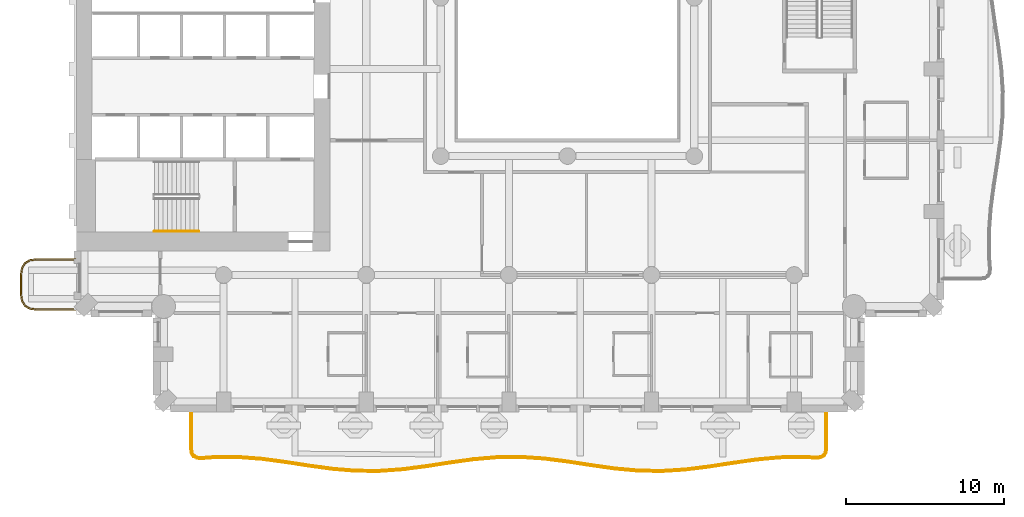
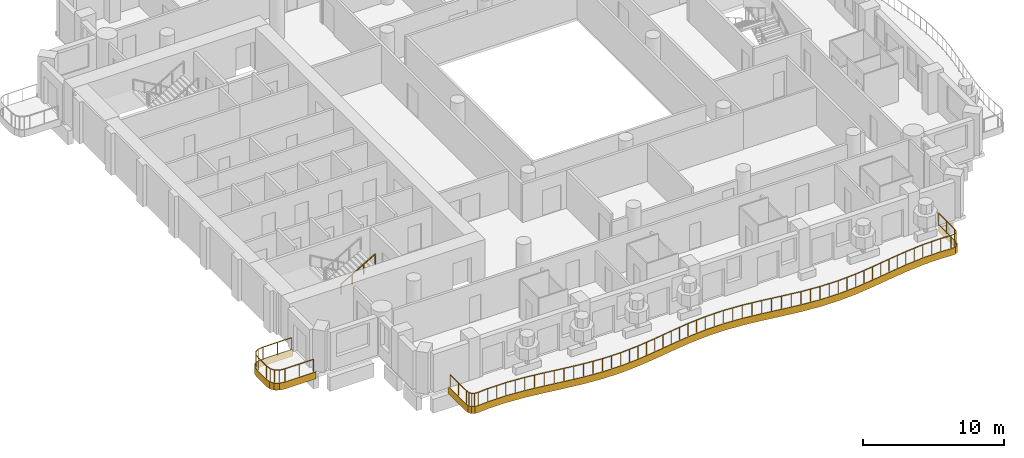
# One storey, part 12 of 19: 3 railings, 2 coverings.
"""IFC4 building model written with IfcOpenShell, lengths in metres."""

from ifc_helpers import new_model, si_unit, direction, frame, origin, origin_2d, place, context, subcontext, project, spatial, polyline, rectangle, outline, extrude, material, layer, layer_set, type_object, element, save


model = new_model("IFC4")

# Units and contexts
model_context = context("Model", 3, precision=1e-05, world=origin(), true_north=direction((0.0, 1.0)))
body_context = subcontext(model_context, "Body", "Model", "MODEL_VIEW")
ifc_project = project(units=[si_unit("LENGTHUNIT", "METRE"), si_unit("AREAUNIT", "SQUARE_METRE"), si_unit("VOLUMEUNIT", "CUBIC_METRE"), si_unit("PLANEANGLEUNIT", "RADIAN"), si_unit("MASSUNIT", "GRAM", prefix="KILO")], contexts=[model_context])

# Site, building, storey
site_placement = place(None, origin())
site = spatial("IfcSite", under=ifc_project, at=site_placement, CompositionType="ELEMENT")
building_placement = place(site_placement, origin())
building = spatial("IfcBuilding", under=site, at=building_placement, Name="Cypress Arch Tower", CompositionType="ELEMENT")
storey_placement = place(building_placement, frame((0.0, 0.0, 105.89990234375)))
storey = spatial("IfcBuildingStorey", under=building, at=storey_placement, Name="L21", CompositionType="ELEMENT", Elevation=105.89990234375)

# Coverings
ifc_material_1 = material(Name="White powder-coated aluminium fascia", Category="aluminium")
ifc_layer = layer(ifc_material_1, 0.050048828125)
ifc_layer_set = layer_set([ifc_layer], Name="Balcony fascia BF50")
covering_type = type_object("IfcCoveringType", Name="Balcony fascia BF50", PredefinedType="CLADDING", material=ifc_layer_set)
covering_1_placement = place(storey_placement, frame((0.0, 0.0, -0.599853515625)))
element("IfcCovering", 1, at=covering_1_placement, inside=storey, type_object=covering_type, Name="Balcony fascia L21-A00W1", PredefinedType="CLADDING", context=body_context, shape_type="SweptSolid", body=[
    extrude(outline(polyline([(-32.503662109375, -19.75), (-32.95458984375, -19.685546875), (-33.286376953125, -19.486328125), (-33.485595703125, -19.154541015625), (-33.550048828125, -18.70361328125), (-33.550048828125, -17.496337890625), (-33.485595703125, -17.04541015625), (-33.286376953125, -16.713623046875), (-32.95458984375, -16.514404296875), (-32.503662109375, -16.449951171875), (-30.0009765625, -16.449951171875), (-30.0009765625, -16.5), (-32.5, -16.5), (-32.9375, -16.5625), (-33.25, -16.75), (-33.4375, -17.0625), (-33.5, -17.5), (-33.5, -18.699951171875), (-33.4375, -19.137451171875), (-33.25, -19.449951171875), (-32.9375, -19.637451171875), (-32.5, -19.699951171875), (-30.0009765625, -19.699951171875), (-30.0009765625, -19.75), (-32.503662109375, -19.75)])), origin(), (0.0, 0.0, 1.0), 0.599853515625),
])
covering_2_placement = place(storey_placement, frame((0.0, 0.0, -0.599853515625)))
element("IfcCovering", 2, at=covering_2_placement, inside=storey, type_object=covering_type, Name="Balcony fascia L21-A03", PredefinedType="CLADDING", context=body_context, shape_type="SweptSolid", body=[
    extrude(outline(polyline([(17.39990234375, -28.4248046875), (17.356201171875, -28.72900390625), (17.218505859375, -28.951171875), (16.98876953125, -29.07568359375), (16.682373046875, -29.1015625), (15.86376953125, -29.0537109375), (14.382568359375, -29.083984375), (12.900390625, -29.223388671875), (11.41650390625, -29.435302734375), (9.930908203125, -29.66455078125), (8.443603515625, -29.8505859375), (6.954833984375, -29.9443359375), (5.4658203125, -29.921142578125), (3.9775390625, -29.786865234375), (2.49072265625, -29.577392578125), (1.005859375, -29.347412109375), (-0.47705078125, -29.157958984375), (-1.958740234375, -29.05810546875), (-3.440185546875, -29.07421875), (-4.922119140625, -29.201904296875), (-6.40576171875, -29.407958984375), (-7.89111328125, -29.63818359375), (-9.37841796875, -29.83251953125), (-10.866943359375, -29.939208984375), (-12.35595703125, -29.93017578125), (-13.84423828125, -29.807861328125), (-15.331298828125, -29.604736328125), (-16.81640625, -29.3740234375), (-18.299560546875, -29.1767578125), (-19.781494140625, -29.064208984375), (-21.262939453125, -29.06591796875), (-22.081298828125, -29.1298828125), (-22.387939453125, -29.10986328125), (-22.6181640625, -28.9892578125), (-22.756103515625, -28.76904296875), (-22.800048828125, -28.465087890625), (-22.800048828125, -26.0009765625), (-22.75, -26.0009765625), (-22.75, -28.46142578125), (-22.708251953125, -28.75146484375), (-22.5830078125, -28.951171875), (-22.3740234375, -29.060546875), (-22.081787109375, -29.07958984375), (-21.264892578125, -29.015869140625), (-19.779541015625, -29.01416015625), (-18.29443359375, -29.126953125), (-16.809326171875, -29.324462890625), (-15.323974609375, -29.55517578125), (-13.8388671875, -29.758056640625), (-12.353759765625, -29.880126953125), (-10.868408203125, -29.88916015625), (-9.38330078125, -29.78271484375), (-7.898193359375, -29.5888671875), (-6.412841796875, -29.3583984375), (-4.927734375, -29.152099609375), (-3.442626953125, -29.024169921875), (-1.95751953125, -29.008056640625), (-0.47216796875, -29.108154296875), (1.012939453125, -29.298095703125), (2.498046875, -29.52783203125), (3.9833984375, -29.7373046875), (5.468505859375, -29.87109375), (6.95361328125, -29.894287109375), (8.43896484375, -29.80078125), (9.924072265625, -29.614990234375), (11.4091796875, -29.385986328125), (12.89453125, -29.173583984375), (14.379638671875, -29.033935546875), (15.86474609375, -29.003662109375), (16.681640625, -29.051513671875), (16.97412109375, -29.02685546875), (17.182861328125, -28.91357421875), (17.308349609375, -28.711669921875), (17.35009765625, -28.421142578125), (17.35009765625, -26.0009765625), (17.39990234375, -26.0009765625), (17.39990234375, -28.4248046875)])), origin(), (0.0, 0.0, 1.0), 0.599853515625),
])

# Railings
ifc_material_2 = material(Name="Powder-coated steel posts and rods, 100 mm clear between rods", Category="steel")
railing_type_1 = type_object("IfcRailingType", Name="Balcony guard GR1100", PredefinedType="GUARDRAIL", material=ifc_material_2)
railing_1_placement = place(storey_placement, frame((-30.14990234375, -19.64990234375, 0.0)))
element("IfcRailing", 3, at=railing_1_placement, inside=storey, type_object=railing_type_1, Name="Balcony guard L21-A00W1", PredefinedType="GUARDRAIL", context=body_context, shape_type="SweptSolid", body=[
    extrude(rectangle(XDim=0.050048828125, YDim=0.050048828125, at=origin_2d()), frame((0.0, 0.0, 1.0751953125), z_axis=(-1.0, 0.0, 0.0), x_axis=(0.0, -1.0, 0.0)), (0.0, 0.0, 1.0), 2.346435546875),
    extrude(rectangle(XDim=0.050048828125, YDim=0.050048828125, at=origin_2d()), frame((-2.346435546875, 0.0, 1.0751953125), z_axis=(-0.989960888959, 0.141341566184, 0.0), x_axis=(-0.141341566184, -0.989960888959, 0.0)), (0.0, 0.0, 1.0), 0.428466796875),
    extrude(rectangle(XDim=0.050048828125, YDim=0.050048828125, at=origin_2d()), frame((-2.7705078125, 0.060546875, 1.0751953125), z_axis=(-0.857681904839, 0.514180659021, 0.0), x_axis=(-0.514180659021, -0.857681904839, 0.0)), (0.0, 0.0, 1.0), 0.341796875),
    extrude(rectangle(XDim=0.050048828125, YDim=0.050048828125, at=origin_2d()), frame((-3.063720703125, 0.236328125, 1.0751953125), z_axis=(-0.514180659021, 0.857681904839, 0.0), x_axis=(-0.857681904839, -0.514180659021, 0.0)), (0.0, 0.0, 1.0), 0.341796875),
    extrude(rectangle(XDim=0.050048828125, YDim=0.050048828125, at=origin_2d()), frame((-3.239501953125, 0.529541015625, 1.0751953125), z_axis=(-0.141421356237, 0.989949493661, 0.0), x_axis=(-0.989949493661, -0.141421356237, 0.0)), (0.0, 0.0, 1.0), 0.42822265625),
    extrude(rectangle(XDim=0.050048828125, YDim=0.050048828125, at=origin_2d()), frame((-3.300048828125, 0.953369140625, 1.0751953125), z_axis=(0.0, 1.0, 0.0), x_axis=(-1.0, 0.0, 0.0)), (0.0, 0.0, 1.0), 1.19287109375),
    extrude(rectangle(XDim=0.050048828125, YDim=0.050048828125, at=origin_2d()), frame((-3.300048828125, 2.146240234375, 1.0751953125), z_axis=(0.141341566184, 0.989960888959, 0.0), x_axis=(-0.989960888959, 0.141341566184, 0.0)), (0.0, 0.0, 1.0), 0.428466796875),
    extrude(rectangle(XDim=0.050048828125, YDim=0.050048828125, at=origin_2d()), frame((-3.239501953125, 2.5703125, 1.0751953125), z_axis=(0.514180659021, 0.857681904839, 0.0), x_axis=(-0.857681904839, 0.514180659021, 0.0)), (0.0, 0.0, 1.0), 0.341796875),
    extrude(rectangle(XDim=0.050048828125, YDim=0.050048828125, at=origin_2d()), frame((-3.063720703125, 2.863525390625, 1.0751953125), z_axis=(0.857681904839, 0.514180659021, 0.0), x_axis=(-0.514180659021, 0.857681904839, 0.0)), (0.0, 0.0, 1.0), 0.341796875),
    extrude(rectangle(XDim=0.050048828125, YDim=0.050048828125, at=origin_2d()), frame((-2.7705078125, 3.039306640625, 1.0751953125), z_axis=(0.989960888959, 0.141341566184, 0.0), x_axis=(-0.141341566184, 0.989960888959, 0.0)), (0.0, 0.0, 1.0), 0.428466796875),
    extrude(rectangle(XDim=0.050048828125, YDim=0.050048828125, at=origin_2d()), frame((-2.346435546875, 3.099853515625, 1.0751953125), z_axis=(1.0, 0.0, 0.0), x_axis=(0.0, 1.0, 0.0)), (0.0, 0.0, 1.0), 2.346435546875),
    extrude(rectangle(XDim=0.0400390625, YDim=0.0400390625, at=origin_2d()), origin(), (0.0, 0.0, 1.0), 1.050048828125),
    extrude(rectangle(XDim=0.0400390625, YDim=0.0400390625, at=origin_2d()), frame((-1.17333984375, 0.0, 0.0)), (0.0, 0.0, 1.0), 1.050048828125),
    extrude(rectangle(XDim=0.0400390625, YDim=0.0400390625, at=origin_2d()), frame((-2.346435546875, 0.0, 0.0)), (0.0, 0.0, 1.0), 1.050048828125),
    extrude(rectangle(XDim=0.0400390625, YDim=0.0400390625, at=origin_2d()), frame((-2.7705078125, 0.060546875, 0.0)), (0.0, 0.0, 1.0), 1.050048828125),
    extrude(rectangle(XDim=0.0400390625, YDim=0.0400390625, at=origin_2d()), frame((-3.063720703125, 0.236328125, 0.0)), (0.0, 0.0, 1.0), 1.050048828125),
    extrude(rectangle(XDim=0.0400390625, YDim=0.0400390625, at=origin_2d()), frame((-3.239501953125, 0.529541015625, 0.0)), (0.0, 0.0, 1.0), 1.050048828125),
    extrude(rectangle(XDim=0.0400390625, YDim=0.0400390625, at=origin_2d()), frame((-3.300048828125, 0.953369140625, 0.0)), (0.0, 0.0, 1.0), 1.050048828125),
    extrude(rectangle(XDim=0.0400390625, YDim=0.0400390625, at=origin_2d()), frame((-3.300048828125, 2.146240234375, 0.0)), (0.0, 0.0, 1.0), 1.050048828125),
    extrude(rectangle(XDim=0.0400390625, YDim=0.0400390625, at=origin_2d()), frame((-3.239501953125, 2.5703125, 0.0)), (0.0, 0.0, 1.0), 1.050048828125),
    extrude(rectangle(XDim=0.0400390625, YDim=0.0400390625, at=origin_2d()), frame((-3.063720703125, 2.863525390625, 0.0)), (0.0, 0.0, 1.0), 1.050048828125),
    extrude(rectangle(XDim=0.0400390625, YDim=0.0400390625, at=origin_2d()), frame((-2.7705078125, 3.039306640625, 0.0)), (0.0, 0.0, 1.0), 1.050048828125),
    extrude(rectangle(XDim=0.0400390625, YDim=0.0400390625, at=origin_2d()), frame((-2.346435546875, 3.099853515625, 0.0)), (0.0, 0.0, 1.0), 1.050048828125),
    extrude(rectangle(XDim=0.0400390625, YDim=0.0400390625, at=origin_2d()), frame((-1.17333984375, 3.099853515625, 0.0)), (0.0, 0.0, 1.0), 1.050048828125),
    extrude(rectangle(XDim=0.0400390625, YDim=0.0400390625, at=origin_2d()), frame((0.0, 3.099853515625, 0.0)), (0.0, 0.0, 1.0), 1.050048828125),
])
railing_2_placement = place(storey_placement, frame((17.300048828125, -26.14990234375, 0.0)))
element("IfcRailing", 4, at=railing_2_placement, inside=storey, type_object=railing_type_1, Name="Balcony guard L21-A03", PredefinedType="GUARDRAIL", context=body_context, shape_type="SweptSolid", body=[
    extrude(rectangle(XDim=0.050048828125, YDim=0.050048828125, at=origin_2d()), frame((0.0, 0.0, 1.0751953125), z_axis=(0.0, -1.0, 0.0), x_axis=(1.0, 0.0, 0.0)), (0.0, 0.0, 1.0), 2.267578125),
    extrude(rectangle(XDim=0.050048828125, YDim=0.050048828125, at=origin_2d()), frame((0.0, -2.267578125, 1.0751953125), z_axis=(-0.142399739356, -0.989809231232, 0.0), x_axis=(0.989809231232, -0.142399739356, 0.0)), (0.0, 0.0, 1.0), 0.279541015625),
    extrude(rectangle(XDim=0.050048828125, YDim=0.050048828125, at=origin_2d()), frame((-0.039794921875, -2.544189453125, 1.0751953125), z_axis=(-0.527533393135, -0.849534295439, 0.0), x_axis=(0.849534295439, -0.527533393135, 0.0)), (0.0, 0.0, 1.0), 0.2138671875),
    extrude(rectangle(XDim=0.050048828125, YDim=0.050048828125, at=origin_2d()), frame((-0.152587890625, -2.725830078125, 1.0751953125), z_axis=(-0.878853431666, -0.477091862904, 0.0), x_axis=(0.477091862904, -0.878853431666, 0.0)), (0.0, 0.0, 1.0), 0.2138671875),
    extrude(rectangle(XDim=0.050048828125, YDim=0.050048828125, at=origin_2d()), frame((-0.340576171875, -2.827880859375, 1.0751953125), z_axis=(-0.996405852593, -0.084707596583, 0.0), x_axis=(0.084707596583, -0.996405852593, 0.0)), (0.0, 0.0, 1.0), 0.279541015625),
    extrude(rectangle(XDim=0.050048828125, YDim=0.050048828125, at=origin_2d()), frame((-0.619140625, -2.8515625, 1.0751953125), z_axis=(-0.998281582304, 0.058599338165, 0.0), x_axis=(-0.058599338165, -0.998281582304, 0.0)), (0.0, 0.0, 1.0), 0.816650390625),
    extrude(rectangle(XDim=0.050048828125, YDim=0.050048828125, at=origin_2d()), frame((-1.434326171875, -2.8037109375, 1.0751953125), z_axis=(-0.999790040287, -0.020490859983, 0.0), x_axis=(0.020490859983, -0.999790040287, 0.0)), (0.0, 0.0, 1.0), 1.4892578125),
    extrude(rectangle(XDim=0.050048828125, YDim=0.050048828125, at=origin_2d()), frame((-2.92333984375, -2.834228515625, 1.0751953125), z_axis=(-0.995609998671, -0.09359877428, 0.0), x_axis=(0.09359877428, -0.995609998671, 0.0)), (0.0, 0.0, 1.0), 1.49462890625),
    extrude(rectangle(XDim=0.050048828125, YDim=0.050048828125, at=origin_2d()), frame((-4.411376953125, -2.97412109375, 1.0751953125), z_axis=(-0.989949493661, -0.141421356237, 0.0), x_axis=(0.141421356237, -0.989949493661, 0.0)), (0.0, 0.0, 1.0), 1.501953125),
    extrude(rectangle(XDim=0.050048828125, YDim=0.050048828125, at=origin_2d()), frame((-5.898193359375, -3.1865234375, 1.0751953125), z_axis=(-0.988311495715, -0.15244798273, 0.0), x_axis=(0.15244798273, -0.988311495715, 0.0)), (0.0, 0.0, 1.0), 1.502197265625),
    extrude(rectangle(XDim=0.050048828125, YDim=0.050048828125, at=origin_2d()), frame((-7.3828125, -3.41552734375, 1.0751953125), z_axis=(-0.992262789781, -0.12415537047, 0.0), x_axis=(0.12415537047, -0.992262789781, 0.0)), (0.0, 0.0, 1.0), 1.494384765625),
    extrude(rectangle(XDim=0.050048828125, YDim=0.050048828125, at=origin_2d()), frame((-8.86572265625, -3.60107421875, 1.0751953125), z_axis=(-0.998024967021, -0.062818510035, 0.0), x_axis=(0.062818510035, -0.998024967021, 0.0)), (0.0, 0.0, 1.0), 1.484619140625),
    extrude(rectangle(XDim=0.050048828125, YDim=0.050048828125, at=origin_2d()), frame((-10.347412109375, -3.6943359375, 1.0751953125), z_axis=(-0.999880034488, 0.015489242459, 0.0), x_axis=(-0.015489242459, -0.999880034488, 0.0)), (0.0, 0.0, 1.0), 1.481689453125),
    extrude(rectangle(XDim=0.050048828125, YDim=0.050048828125, at=origin_2d()), frame((-11.828857421875, -3.67138671875, 1.0751953125), z_axis=(-0.995950824457, 0.089899695569, 0.0), x_axis=(-0.089899695569, -0.995950824457, 0.0)), (0.0, 0.0, 1.0), 1.48828125),
    extrude(rectangle(XDim=0.050048828125, YDim=0.050048828125, at=origin_2d()), frame((-13.31103515625, -3.53759765625, 1.0751953125), z_axis=(-0.990202085007, 0.139641794776, 0.0), x_axis=(-0.139641794776, -0.990202085007, 0.0)), (0.0, 0.0, 1.0), 1.498291015625),
    extrude(rectangle(XDim=0.050048828125, YDim=0.050048828125, at=origin_2d()), frame((-14.794677734375, -3.328369140625, 1.0751953125), z_axis=(-0.988249318874, 0.152850527459, 0.0), x_axis=(-0.152850527459, -0.988249318874, 0.0)), (0.0, 0.0, 1.0), 1.5029296875),
    extrude(rectangle(XDim=0.050048828125, YDim=0.050048828125, at=origin_2d()), frame((-16.280029296875, -3.0986328125, 1.0751953125), z_axis=(-0.991923212799, 0.12683981989, 0.0), x_axis=(-0.12683981989, -0.991923212799, 0.0)), (0.0, 0.0, 1.0), 1.49951171875),
    extrude(rectangle(XDim=0.050048828125, YDim=0.050048828125, at=origin_2d()), frame((-17.767333984375, -2.908447265625, 1.0751953125), z_axis=(-0.997736386655, 0.067246581652, 0.0), x_axis=(-0.067246581652, -0.997736386655, 0.0)), (0.0, 0.0, 1.0), 1.4921875),
    extrude(rectangle(XDim=0.050048828125, YDim=0.050048828125, at=origin_2d()), frame((-19.256103515625, -2.80810546875, 1.0751953125), z_axis=(-0.999941453294, -0.010820812579, 0.0), x_axis=(0.010820812579, -0.999941453294, 0.0)), (0.0, 0.0, 1.0), 1.489013671875),
    extrude(rectangle(XDim=0.050048828125, YDim=0.050048828125, at=origin_2d()), frame((-20.7451171875, -2.82421875, 1.0751953125), z_axis=(-0.996298014389, -0.085966659378, 0.0), x_axis=(0.085966659378, -0.996298014389, 0.0)), (0.0, 0.0, 1.0), 1.493896484375),
    extrude(rectangle(XDim=0.050048828125, YDim=0.050048828125, at=origin_2d()), frame((-22.2333984375, -2.95263671875, 1.0751953125), z_axis=(-0.990488579214, -0.137594965191, 0.0), x_axis=(0.137594965191, -0.990488579214, 0.0)), (0.0, 0.0, 1.0), 1.5009765625),
    extrude(rectangle(XDim=0.050048828125, YDim=0.050048828125, at=origin_2d()), frame((-23.72021484375, -3.1591796875, 1.0751953125), z_axis=(-0.988196386101, -0.153192370885, 0.0), x_axis=(0.153192370885, -0.988196386101, 0.0)), (0.0, 0.0, 1.0), 1.5029296875),
    extrude(rectangle(XDim=0.050048828125, YDim=0.050048828125, at=origin_2d()), frame((-25.205322265625, -3.389404296875, 1.0751953125), z_axis=(-0.991587663956, -0.129436875311, 0.0), x_axis=(0.129436875311, -0.991587663956, 0.0)), (0.0, 0.0, 1.0), 1.495849609375),
    extrude(rectangle(XDim=0.050048828125, YDim=0.050048828125, at=origin_2d()), frame((-26.6884765625, -3.5830078125, 1.0751953125), z_axis=(-0.997441150114, -0.071492321684, 0.0), x_axis=(0.071492321684, -0.997441150114, 0.0)), (0.0, 0.0, 1.0), 1.485595703125),
    extrude(rectangle(XDim=0.050048828125, YDim=0.050048828125, at=origin_2d()), frame((-28.170166015625, -3.689208984375, 1.0751953125), z_axis=(-0.999981410393, 0.006097447624, 0.0), x_axis=(-0.006097447624, -0.999981410393, 0.0)), (0.0, 0.0, 1.0), 1.4814453125),
    extrude(rectangle(XDim=0.050048828125, YDim=0.050048828125, at=origin_2d()), frame((-29.651611328125, -3.68017578125, 1.0751953125), z_axis=(-0.996651382004, 0.081768103499, 0.0), x_axis=(-0.081768103499, -0.996651382004, 0.0)), (0.0, 0.0, 1.0), 1.48681640625),
    extrude(rectangle(XDim=0.050048828125, YDim=0.050048828125, at=origin_2d()), frame((-31.133544921875, -3.55859375, 1.0751953125), z_axis=(-0.990776507251, 0.135506135208, 0.0), x_axis=(-0.135506135208, -0.990776507251, 0.0)), (0.0, 0.0, 1.0), 1.497314453125),
    extrude(rectangle(XDim=0.050048828125, YDim=0.050048828125, at=origin_2d()), frame((-32.616943359375, -3.355712890625, 1.0751953125), z_axis=(-0.988171781301, 0.153351004693, 0.0), x_axis=(-0.153351004693, -0.988171781301, 0.0)), (0.0, 0.0, 1.0), 1.5029296875),
    extrude(rectangle(XDim=0.050048828125, YDim=0.050048828125, at=origin_2d()), frame((-34.10205078125, -3.125244140625, 1.0751953125), z_axis=(-0.991254880606, 0.131961212766, 0.0), x_axis=(-0.131961212766, -0.991254880606, 0.0)), (0.0, 0.0, 1.0), 1.50048828125),
    extrude(rectangle(XDim=0.050048828125, YDim=0.050048828125, at=origin_2d()), frame((-35.58935546875, -2.92724609375, 1.0751953125), z_axis=(-0.997129046234, 0.075720969068, 0.0), x_axis=(-0.075720969068, -0.997129046234, 0.0)), (0.0, 0.0, 1.0), 1.492919921875),
    extrude(rectangle(XDim=0.050048828125, YDim=0.050048828125, at=origin_2d()), frame((-37.077880859375, -2.814208984375, 1.0751953125), z_axis=(-0.999999139735, -0.001311689313, 0.0), x_axis=(0.001311689313, -0.999999139735, 0.0)), (0.0, 0.0, 1.0), 1.489013671875),
    extrude(rectangle(XDim=0.050048828125, YDim=0.050048828125, at=origin_2d()), frame((-38.56689453125, -2.816162109375, 1.0751953125), z_axis=(-0.996982033849, -0.077632623181, 0.0), x_axis=(0.077632623181, -0.996982033849, 0.0)), (0.0, 0.0, 1.0), 0.817626953125),
    extrude(rectangle(XDim=0.050048828125, YDim=0.050048828125, at=origin_2d()), frame((-39.382080078125, -2.879638671875, 1.0751953125), z_axis=(-0.997899832537, 0.064775954042, 0.0), x_axis=(-0.064775954042, -0.997899832537, 0.0)), (0.0, 0.0, 1.0), 0.27880859375),
    extrude(rectangle(XDim=0.050048828125, YDim=0.050048828125, at=origin_2d()), frame((-39.660400390625, -2.861572265625, 1.0751953125), z_axis=(-0.885492789601, 0.46465311746, 0.0), x_axis=(-0.46465311746, -0.885492789601, 0.0)), (0.0, 0.0, 1.0), 0.211669921875),
    extrude(rectangle(XDim=0.050048828125, YDim=0.050048828125, at=origin_2d()), frame((-39.847900390625, -2.76318359375, 1.0751953125), z_axis=(-0.531036230008, 0.847349114839, 0.0), x_axis=(-0.847349114839, -0.531036230008, 0.0)), (0.0, 0.0, 1.0), 0.21142578125),
    extrude(rectangle(XDim=0.050048828125, YDim=0.050048828125, at=origin_2d()), frame((-39.960205078125, -2.583984375, 1.0751953125), z_axis=(-0.142646432008, 0.989773709206, 0.0), x_axis=(-0.989773709206, -0.142646432008, 0.0)), (0.0, 0.0, 1.0), 0.279052734375),
    extrude(rectangle(XDim=0.050048828125, YDim=0.050048828125, at=origin_2d()), frame((-40.0, -2.307861328125, 1.0751953125), z_axis=(0.0, 1.0, 0.0), x_axis=(-1.0, 0.0, 0.0)), (0.0, 0.0, 1.0), 2.307861328125),
    extrude(rectangle(XDim=0.0400390625, YDim=0.0400390625, at=origin_2d()), origin(), (0.0, 0.0, 1.0), 1.050048828125),
    extrude(rectangle(XDim=0.0400390625, YDim=0.0400390625, at=origin_2d()), frame((0.0, -1.1337890625, 0.0)), (0.0, 0.0, 1.0), 1.050048828125),
    extrude(rectangle(XDim=0.0400390625, YDim=0.0400390625, at=origin_2d()), frame((0.0, -2.267578125, 0.0)), (0.0, 0.0, 1.0), 1.050048828125),
    extrude(rectangle(XDim=0.0400390625, YDim=0.0400390625, at=origin_2d()), frame((-0.039794921875, -2.544189453125, 0.0)), (0.0, 0.0, 1.0), 1.050048828125),
    extrude(rectangle(XDim=0.0400390625, YDim=0.0400390625, at=origin_2d()), frame((-0.152587890625, -2.725830078125, 0.0)), (0.0, 0.0, 1.0), 1.050048828125),
    extrude(rectangle(XDim=0.0400390625, YDim=0.0400390625, at=origin_2d()), frame((-0.340576171875, -2.827880859375, 0.0)), (0.0, 0.0, 1.0), 1.050048828125),
    extrude(rectangle(XDim=0.0400390625, YDim=0.0400390625, at=origin_2d()), frame((-0.619140625, -2.8515625, 0.0)), (0.0, 0.0, 1.0), 1.050048828125),
    extrude(rectangle(XDim=0.0400390625, YDim=0.0400390625, at=origin_2d()), frame((-1.434326171875, -2.8037109375, 0.0)), (0.0, 0.0, 1.0), 1.050048828125),
    extrude(rectangle(XDim=0.0400390625, YDim=0.0400390625, at=origin_2d()), frame((-2.1787109375, -2.81884765625, 0.0)), (0.0, 0.0, 1.0), 1.050048828125),
    extrude(rectangle(XDim=0.0400390625, YDim=0.0400390625, at=origin_2d()), frame((-2.92333984375, -2.834228515625, 0.0)), (0.0, 0.0, 1.0), 1.050048828125),
    extrude(rectangle(XDim=0.0400390625, YDim=0.0400390625, at=origin_2d()), frame((-3.66748046875, -2.904296875, 0.0)), (0.0, 0.0, 1.0), 1.050048828125),
    extrude(rectangle(XDim=0.0400390625, YDim=0.0400390625, at=origin_2d()), frame((-4.411376953125, -2.97412109375, 0.0)), (0.0, 0.0, 1.0), 1.050048828125),
    extrude(rectangle(XDim=0.0400390625, YDim=0.0400390625, at=origin_2d()), frame((-5.15478515625, -3.080322265625, 0.0)), (0.0, 0.0, 1.0), 1.050048828125),
    extrude(rectangle(XDim=0.0400390625, YDim=0.0400390625, at=origin_2d()), frame((-5.898193359375, -3.1865234375, 0.0)), (0.0, 0.0, 1.0), 1.050048828125),
    extrude(rectangle(XDim=0.0400390625, YDim=0.0400390625, at=origin_2d()), frame((-6.640625, -3.301025390625, 0.0)), (0.0, 0.0, 1.0), 1.050048828125),
    extrude(rectangle(XDim=0.0400390625, YDim=0.0400390625, at=origin_2d()), frame((-7.3828125, -3.41552734375, 0.0)), (0.0, 0.0, 1.0), 1.050048828125),
    extrude(rectangle(XDim=0.0400390625, YDim=0.0400390625, at=origin_2d()), frame((-8.124267578125, -3.50830078125, 0.0)), (0.0, 0.0, 1.0), 1.050048828125),
    extrude(rectangle(XDim=0.0400390625, YDim=0.0400390625, at=origin_2d()), frame((-8.86572265625, -3.60107421875, 0.0)), (0.0, 0.0, 1.0), 1.050048828125),
    extrude(rectangle(XDim=0.0400390625, YDim=0.0400390625, at=origin_2d()), frame((-9.6064453125, -3.647705078125, 0.0)), (0.0, 0.0, 1.0), 1.050048828125),
    extrude(rectangle(XDim=0.0400390625, YDim=0.0400390625, at=origin_2d()), frame((-10.347412109375, -3.6943359375, 0.0)), (0.0, 0.0, 1.0), 1.050048828125),
    extrude(rectangle(XDim=0.0400390625, YDim=0.0400390625, at=origin_2d()), frame((-11.088134765625, -3.682861328125, 0.0)), (0.0, 0.0, 1.0), 1.050048828125),
    extrude(rectangle(XDim=0.0400390625, YDim=0.0400390625, at=origin_2d()), frame((-11.828857421875, -3.67138671875, 0.0)), (0.0, 0.0, 1.0), 1.050048828125),
    extrude(rectangle(XDim=0.0400390625, YDim=0.0400390625, at=origin_2d()), frame((-12.56982421875, -3.6044921875, 0.0)), (0.0, 0.0, 1.0), 1.050048828125),
    extrude(rectangle(XDim=0.0400390625, YDim=0.0400390625, at=origin_2d()), frame((-13.31103515625, -3.53759765625, 0.0)), (0.0, 0.0, 1.0), 1.050048828125),
    extrude(rectangle(XDim=0.0400390625, YDim=0.0400390625, at=origin_2d()), frame((-14.052734375, -3.43310546875, 0.0)), (0.0, 0.0, 1.0), 1.050048828125),
    extrude(rectangle(XDim=0.0400390625, YDim=0.0400390625, at=origin_2d()), frame((-14.794677734375, -3.328369140625, 0.0)), (0.0, 0.0, 1.0), 1.050048828125),
    extrude(rectangle(XDim=0.0400390625, YDim=0.0400390625, at=origin_2d()), frame((-15.537353515625, -3.21337890625, 0.0)), (0.0, 0.0, 1.0), 1.050048828125),
    extrude(rectangle(XDim=0.0400390625, YDim=0.0400390625, at=origin_2d()), frame((-16.280029296875, -3.0986328125, 0.0)), (0.0, 0.0, 1.0), 1.050048828125),
    extrude(rectangle(XDim=0.0400390625, YDim=0.0400390625, at=origin_2d()), frame((-17.023681640625, -3.00341796875, 0.0)), (0.0, 0.0, 1.0), 1.050048828125),
    extrude(rectangle(XDim=0.0400390625, YDim=0.0400390625, at=origin_2d()), frame((-17.767333984375, -2.908447265625, 0.0)), (0.0, 0.0, 1.0), 1.050048828125),
    extrude(rectangle(XDim=0.0400390625, YDim=0.0400390625, at=origin_2d()), frame((-18.51171875, -2.8583984375, 0.0)), (0.0, 0.0, 1.0), 1.050048828125),
    extrude(rectangle(XDim=0.0400390625, YDim=0.0400390625, at=origin_2d()), frame((-19.256103515625, -2.80810546875, 0.0)), (0.0, 0.0, 1.0), 1.050048828125),
    extrude(rectangle(XDim=0.0400390625, YDim=0.0400390625, at=origin_2d()), frame((-20.00048828125, -2.816162109375, 0.0)), (0.0, 0.0, 1.0), 1.050048828125),
    extrude(rectangle(XDim=0.0400390625, YDim=0.0400390625, at=origin_2d()), frame((-20.7451171875, -2.82421875, 0.0)), (0.0, 0.0, 1.0), 1.050048828125),
    extrude(rectangle(XDim=0.0400390625, YDim=0.0400390625, at=origin_2d()), frame((-21.4892578125, -2.888427734375, 0.0)), (0.0, 0.0, 1.0), 1.050048828125),
    extrude(rectangle(XDim=0.0400390625, YDim=0.0400390625, at=origin_2d()), frame((-22.2333984375, -2.95263671875, 0.0)), (0.0, 0.0, 1.0), 1.050048828125),
    extrude(rectangle(XDim=0.0400390625, YDim=0.0400390625, at=origin_2d()), frame((-22.976806640625, -3.055908203125, 0.0)), (0.0, 0.0, 1.0), 1.050048828125),
    extrude(rectangle(XDim=0.0400390625, YDim=0.0400390625, at=origin_2d()), frame((-23.72021484375, -3.1591796875, 0.0)), (0.0, 0.0, 1.0), 1.050048828125),
    extrude(rectangle(XDim=0.0400390625, YDim=0.0400390625, at=origin_2d()), frame((-24.462890625, -3.2744140625, 0.0)), (0.0, 0.0, 1.0), 1.050048828125),
    extrude(rectangle(XDim=0.0400390625, YDim=0.0400390625, at=origin_2d()), frame((-25.205322265625, -3.389404296875, 0.0)), (0.0, 0.0, 1.0), 1.050048828125),
    extrude(rectangle(XDim=0.0400390625, YDim=0.0400390625, at=origin_2d()), frame((-25.94677734375, -3.486328125, 0.0)), (0.0, 0.0, 1.0), 1.050048828125),
    extrude(rectangle(XDim=0.0400390625, YDim=0.0400390625, at=origin_2d()), frame((-26.6884765625, -3.5830078125, 0.0)), (0.0, 0.0, 1.0), 1.050048828125),
    extrude(rectangle(XDim=0.0400390625, YDim=0.0400390625, at=origin_2d()), frame((-27.42919921875, -3.63623046875, 0.0)), (0.0, 0.0, 1.0), 1.050048828125),
    extrude(rectangle(XDim=0.0400390625, YDim=0.0400390625, at=origin_2d()), frame((-28.170166015625, -3.689208984375, 0.0)), (0.0, 0.0, 1.0), 1.050048828125),
    extrude(rectangle(XDim=0.0400390625, YDim=0.0400390625, at=origin_2d()), frame((-28.910888671875, -3.6845703125, 0.0)), (0.0, 0.0, 1.0), 1.050048828125),
    extrude(rectangle(XDim=0.0400390625, YDim=0.0400390625, at=origin_2d()), frame((-29.651611328125, -3.68017578125, 0.0)), (0.0, 0.0, 1.0), 1.050048828125),
    extrude(rectangle(XDim=0.0400390625, YDim=0.0400390625, at=origin_2d()), frame((-30.392578125, -3.619384765625, 0.0)), (0.0, 0.0, 1.0), 1.050048828125),
    extrude(rectangle(XDim=0.0400390625, YDim=0.0400390625, at=origin_2d()), frame((-31.133544921875, -3.55859375, 0.0)), (0.0, 0.0, 1.0), 1.050048828125),
    extrude(rectangle(XDim=0.0400390625, YDim=0.0400390625, at=origin_2d()), frame((-31.875244140625, -3.45703125, 0.0)), (0.0, 0.0, 1.0), 1.050048828125),
    extrude(rectangle(XDim=0.0400390625, YDim=0.0400390625, at=origin_2d()), frame((-32.616943359375, -3.355712890625, 0.0)), (0.0, 0.0, 1.0), 1.050048828125),
    extrude(rectangle(XDim=0.0400390625, YDim=0.0400390625, at=origin_2d()), frame((-33.359375, -3.240478515625, 0.0)), (0.0, 0.0, 1.0), 1.050048828125),
    extrude(rectangle(XDim=0.0400390625, YDim=0.0400390625, at=origin_2d()), frame((-34.10205078125, -3.125244140625, 0.0)), (0.0, 0.0, 1.0), 1.050048828125),
    extrude(rectangle(XDim=0.0400390625, YDim=0.0400390625, at=origin_2d()), frame((-34.845703125, -3.0263671875, 0.0)), (0.0, 0.0, 1.0), 1.050048828125),
    extrude(rectangle(XDim=0.0400390625, YDim=0.0400390625, at=origin_2d()), frame((-35.58935546875, -2.92724609375, 0.0)), (0.0, 0.0, 1.0), 1.050048828125),
    extrude(rectangle(XDim=0.0400390625, YDim=0.0400390625, at=origin_2d()), frame((-36.33349609375, -2.87060546875, 0.0)), (0.0, 0.0, 1.0), 1.050048828125),
    extrude(rectangle(XDim=0.0400390625, YDim=0.0400390625, at=origin_2d()), frame((-37.077880859375, -2.814208984375, 0.0)), (0.0, 0.0, 1.0), 1.050048828125),
    extrude(rectangle(XDim=0.0400390625, YDim=0.0400390625, at=origin_2d()), frame((-37.822265625, -2.815185546875, 0.0)), (0.0, 0.0, 1.0), 1.050048828125),
    extrude(rectangle(XDim=0.0400390625, YDim=0.0400390625, at=origin_2d()), frame((-38.56689453125, -2.816162109375, 0.0)), (0.0, 0.0, 1.0), 1.050048828125),
    extrude(rectangle(XDim=0.0400390625, YDim=0.0400390625, at=origin_2d()), frame((-39.382080078125, -2.879638671875, 0.0)), (0.0, 0.0, 1.0), 1.050048828125),
    extrude(rectangle(XDim=0.0400390625, YDim=0.0400390625, at=origin_2d()), frame((-39.660400390625, -2.861572265625, 0.0)), (0.0, 0.0, 1.0), 1.050048828125),
    extrude(rectangle(XDim=0.0400390625, YDim=0.0400390625, at=origin_2d()), frame((-39.847900390625, -2.76318359375, 0.0)), (0.0, 0.0, 1.0), 1.050048828125),
    extrude(rectangle(XDim=0.0400390625, YDim=0.0400390625, at=origin_2d()), frame((-39.960205078125, -2.583984375, 0.0)), (0.0, 0.0, 1.0), 1.050048828125),
    extrude(rectangle(XDim=0.0400390625, YDim=0.0400390625, at=origin_2d()), frame((-40.0, -2.307861328125, 0.0)), (0.0, 0.0, 1.0), 1.050048828125),
    extrude(rectangle(XDim=0.0400390625, YDim=0.0400390625, at=origin_2d()), frame((-40.0, -1.15380859375, 0.0)), (0.0, 0.0, 1.0), 1.050048828125),
    extrude(rectangle(XDim=0.0400390625, YDim=0.0400390625, at=origin_2d()), frame((-40.0, 0.0, 0.0)), (0.0, 0.0, 1.0), 1.050048828125),
])
ifc_material_3 = material(Name="Black powder-coated steel square bar 48 mm", Category="steel")
railing_type_2 = type_object("IfcRailingType", Name="Stair handrail HR1", PredefinedType="HANDRAIL", material=ifc_material_3)
railing_3_placement = place(storey_placement, frame((-25.074951171875, -14.75, 1.963623046875)))
element("IfcRailing", 5, at=railing_3_placement, inside=storey, type_object=railing_type_2, Name="L21 A stair handrail 2", PredefinedType="HANDRAIL", context=body_context, shape_type="SweptSolid", body=[
    extrude(rectangle(XDim=0.048095703125, YDim=0.048095703125, at=origin_2d()), frame((0.0, 0.0, 0.8759765625), z_axis=(0.863360870873, 0.0, 0.504586966384), x_axis=(0.0, 1.0, 0.0)), (0.0, 0.0, 1.0), 3.2431640625),
    extrude(rectangle(XDim=0.0419921875, YDim=0.0419921875, at=origin_2d()), origin(), (0.0, 0.0, 1.0), 0.851806640625),
    extrude(rectangle(XDim=0.0419921875, YDim=0.0419921875, at=origin_2d()), frame((0.933349609375, 0.0, 0.54541015625)), (0.0, 0.0, 1.0), 0.851806640625),
    extrude(rectangle(XDim=0.0419921875, YDim=0.0419921875, at=origin_2d()), frame((1.86669921875, 0.0, 1.091064453125)), (0.0, 0.0, 1.0), 0.851806640625),
    extrude(rectangle(XDim=0.0419921875, YDim=0.0419921875, at=origin_2d()), frame((2.800048828125, 0.0, 1.636474609375)), (0.0, 0.0, 1.0), 0.851806640625),
])

save(model, "model.ifc")
